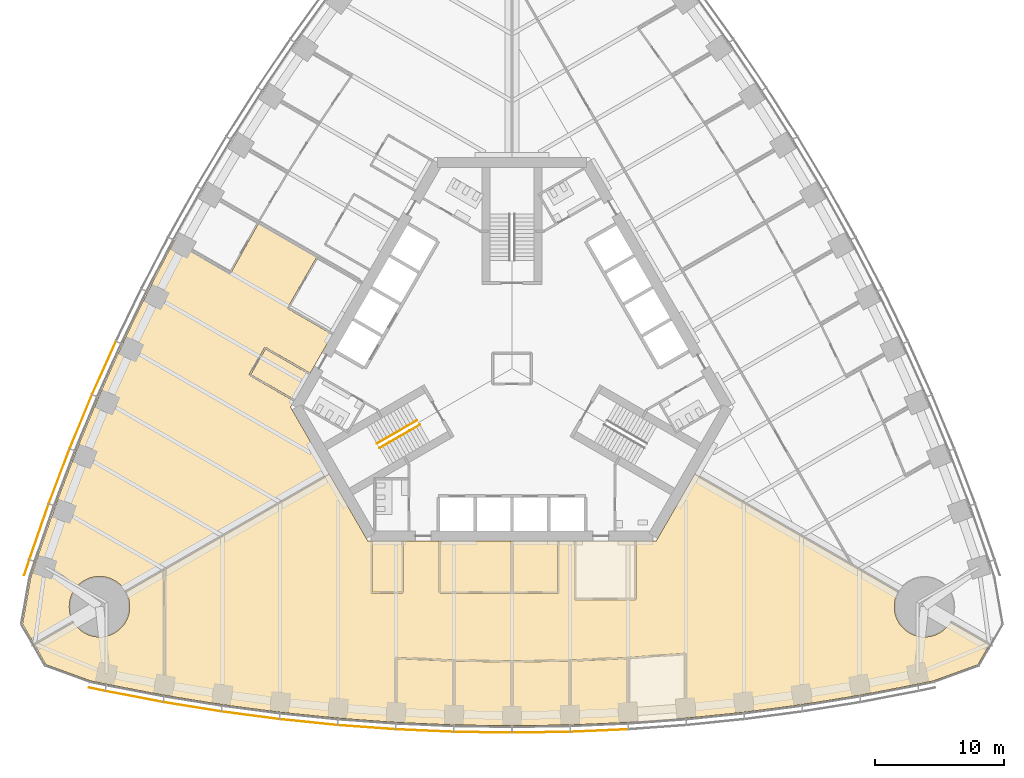
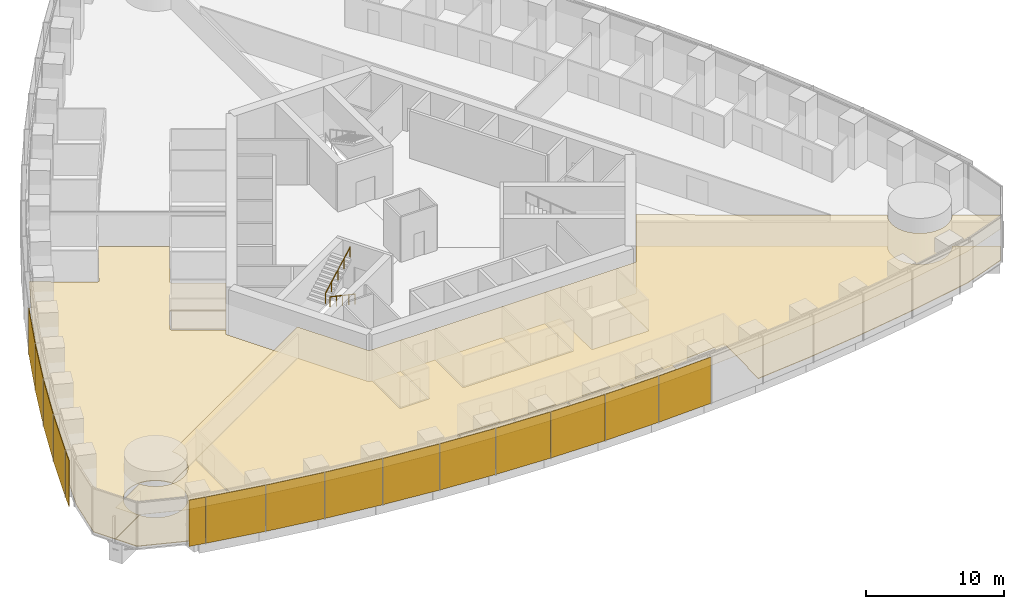
# One storey, part 14 of 18: 15 shading devices, 12 coverings, 2 railings.
"""IFC4 building model written with IfcOpenShell, lengths in metres."""

from ifc_helpers import new_model, si_unit, direction, frame, origin, origin_2d, place, context, subcontext, project, spatial, polyline, rectangle, circle, outline, extrude, material, layer, layer_set, type_object, element, save


model = new_model("IFC4")

# Units and contexts
model_context = context("Model", 3, precision=1e-05, world=origin(), true_north=direction((0.0, 1.0)))
body_context = subcontext(model_context, "Body", "Model", "MODEL_VIEW")
ifc_project = project(units=[si_unit("LENGTHUNIT", "METRE"), si_unit("AREAUNIT", "SQUARE_METRE"), si_unit("VOLUMEUNIT", "CUBIC_METRE"), si_unit("PLANEANGLEUNIT", "RADIAN"), si_unit("MASSUNIT", "GRAM", prefix="KILO")], contexts=[model_context])

# Site, building, storey
site_placement = place(None, origin())
site = spatial("IfcSite", under=ifc_project, at=site_placement, CompositionType="ELEMENT")
building_placement = place(site_placement, origin())
building = spatial("IfcBuilding", under=site, at=building_placement, Name="Trefoil Bronze Tower", CompositionType="ELEMENT")
storey_placement = place(building_placement, frame((0.0, 0.0, 41.699951171875)))
storey = spatial("IfcBuildingStorey", under=building, at=storey_placement, Name="L09", CompositionType="ELEMENT", Elevation=41.699951171875)

# Shading devices
ifc_material_1 = material(Name="Perforated bronze sheet", Category="bronze")
ifc_layer_1 = layer(ifc_material_1, 0.0400390625)
ifc_layer_set_1 = layer_set([ifc_layer_1], Name="Bronze solar screen panel")
shading_device_type = type_object("IfcShadingDeviceType", Name="Bronze solar screen panel", PredefinedType="SHUTTER", material=ifc_layer_set_1)
shading_device_1_placement = place(storey_placement, frame((-32.2431640625, -24.91064453125, 0.050048828125), z_axis=(0.0, 0.0, 1.0), x_axis=(0.978302717041, -0.207180582657, 0.0)))
element("IfcShadingDevice", 1, at=shading_device_1_placement, inside=storey, type_object=shading_device_type, Name="Solar screen CW-A L09 F1 bay 1", PredefinedType="SHUTTER", context=body_context, shape_type="SweptSolid", body=[
    extrude(rectangle(XDim=1.260498046875, YDim=0.0400390625, at=origin_2d()), origin(), (0.0, 0.0, 1.0), 4.10009765625),
])
shading_device_2_placement = place(storey_placement, frame((-29.351806640625, -25.478515625, 0.050048828125), z_axis=(0.0, 0.0, 1.0), x_axis=(0.982049823817, -0.188621694249, 0.0)))
element("IfcShadingDevice", 2, at=shading_device_2_placement, inside=storey, type_object=shading_device_type, Name="Solar screen CW-A L09 F1 bay 2", PredefinedType="SHUTTER", context=body_context, shape_type="SweptSolid", body=[
    extrude(rectangle(XDim=4.55224609375, YDim=0.0400390625, at=origin_2d()), origin(), (0.0, 0.0, 1.0), 4.10009765625),
])
shading_device_3_placement = place(storey_placement, frame((-24.836181640625, -26.277099609375, 0.050048828125), z_axis=(0.0, 0.0, 1.0), x_axis=(0.987181315145, -0.159602791421, 0.0)))
element("IfcShadingDevice", 3, at=shading_device_3_placement, inside=storey, type_object=shading_device_type, Name="Solar screen CW-A L09 F1 bay 3", PredefinedType="SHUTTER", context=body_context, shape_type="SweptSolid", body=[
    extrude(rectangle(XDim=4.5283203125, YDim=0.0400390625, at=origin_2d()), origin(), (0.0, 0.0, 1.0), 4.10009765625),
])
shading_device_4_placement = place(storey_placement, frame((-20.320556640625, -26.939697265625, 0.050048828125), z_axis=(0.0, 0.0, 1.0), x_axis=(0.991437251591, -0.130583981243, 0.0)))
element("IfcShadingDevice", 4, at=shading_device_4_placement, inside=storey, type_object=shading_device_type, Name="Solar screen CW-A L09 F1 bay 4", PredefinedType="SHUTTER", context=body_context, shape_type="SweptSolid", body=[
    extrude(rectangle(XDim=4.5087890625, YDim=0.0400390625, at=origin_2d()), origin(), (0.0, 0.0, 1.0), 4.10009765625),
])
shading_device_5_placement = place(storey_placement, frame((-15.804931640625, -27.467529296875, 0.050048828125), z_axis=(0.0, 0.0, 1.0), x_axis=(0.994828880293, -0.101565244717, 0.0)))
element("IfcShadingDevice", 5, at=shading_device_5_placement, inside=storey, type_object=shading_device_type, Name="Solar screen CW-A L09 F1 bay 5", PredefinedType="SHUTTER", context=body_context, shape_type="SweptSolid", body=[
    extrude(rectangle(XDim=4.493408203125, YDim=0.0400390625, at=origin_2d()), origin(), (0.0, 0.0, 1.0), 4.10009765625),
])
shading_device_6_placement = place(storey_placement, frame((-11.2890625, -27.8623046875, 0.050048828125), z_axis=(0.0, 0.0, 1.0), x_axis=(0.99736502647, -0.072546564177, 0.0)))
element("IfcShadingDevice", 6, at=shading_device_6_placement, inside=storey, type_object=shading_device_type, Name="Solar screen CW-A L09 F1 bay 6", PredefinedType="SHUTTER", context=body_context, shape_type="SweptSolid", body=[
    extrude(rectangle(XDim=4.48193359375, YDim=0.0400390625, at=origin_2d()), origin(), (0.0, 0.0, 1.0), 4.10009765625),
])
shading_device_7_placement = place(storey_placement, frame((-6.7734375, -28.124755859375, 0.050048828125), z_axis=(0.0, 0.0, 1.0), x_axis=(0.999052210809, -0.043527922969, 0.0)))
element("IfcShadingDevice", 7, at=shading_device_7_placement, inside=storey, type_object=shading_device_type, Name="Solar screen CW-A L09 F1 bay 7", PredefinedType="SHUTTER", context=body_context, shape_type="SweptSolid", body=[
    extrude(rectangle(XDim=4.474365234375, YDim=0.0400390625, at=origin_2d()), origin(), (0.0, 0.0, 1.0), 4.10009765625),
])
for number, where, z_axis, x_axis, name in (
    (8, (-2.2578125, -28.256103515625, 0.050048828125), (0.0, 0.0, 1.0), (0.999894734493, -0.014509305083, 0.0), "Solar screen CW-A L09 F1 bay 8"),
    (9, (2.2578125, -28.256103515625, 0.050048828125), (0.0, 0.0, 1.0), (0.999894734493, 0.014509305083, 0.0), "Solar screen CW-A L09 F1 bay 9"),
):
    element("IfcShadingDevice", number, at=place(storey_placement, frame(where, z_axis=z_axis, x_axis=x_axis)), inside=storey, type_object=shading_device_type, Name=name, PredefinedType="SHUTTER", context=body_context, shape_type="SweptSolid", body=[
        extrude(rectangle(XDim=4.470458984375, YDim=0.0400390625, at=origin_2d()), origin(), (0.0, 0.0, 1.0), 4.10009765625),
    ])
shading_device_8_placement = place(storey_placement, frame((6.7734375, -28.124755859375, 0.050048828125), z_axis=(0.0, 0.0, 1.0), x_axis=(0.999052210809, 0.043527922969, 0.0)))
element("IfcShadingDevice", 10, at=shading_device_8_placement, inside=storey, type_object=shading_device_type, Name="Solar screen CW-A L09 F1 bay 10", PredefinedType="SHUTTER", context=body_context, shape_type="SweptSolid", body=[
    extrude(rectangle(XDim=4.474365234375, YDim=0.0400390625, at=origin_2d()), origin(), (0.0, 0.0, 1.0), 4.10009765625),
])
shading_device_9_placement = place(storey_placement, frame((-31.68994140625, 0.04638671875, 0.050048828125), z_axis=(0.0, 0.0, 1.0), x_axis=(-0.40945635808, -0.912329705111, 0.0)))
element("IfcShadingDevice", 11, at=shading_device_9_placement, inside=storey, type_object=shading_device_type, Name="Solar screen CW-A L09 F3 bay 12", PredefinedType="SHUTTER", context=body_context, shape_type="SweptSolid", body=[
    extrude(rectangle(XDim=4.493408203125, YDim=0.0400390625, at=origin_2d()), origin(), (0.0, 0.0, 1.0), 4.10009765625),
])
shading_device_10_placement = place(storey_placement, frame((-33.49072265625, -4.128173828125, 0.050048828125), z_axis=(0.0, 0.0, 1.0), x_axis=(-0.382629580712, -0.923901836758, 0.0)))
element("IfcShadingDevice", 12, at=shading_device_10_placement, inside=storey, type_object=shading_device_type, Name="Solar screen CW-A L09 F3 bay 13", PredefinedType="SHUTTER", context=body_context, shape_type="SweptSolid", body=[
    extrude(rectangle(XDim=4.5087890625, YDim=0.0400390625, at=origin_2d()), origin(), (0.0, 0.0, 1.0), 4.10009765625),
])
shading_device_11_placement = place(storey_placement, frame((-35.1748046875, -8.3701171875, 0.050048828125), z_axis=(0.0, 0.0, 1.0), x_axis=(-0.355370585687, -0.934725492767, 0.0)))
element("IfcShadingDevice", 13, at=shading_device_11_placement, inside=storey, type_object=shading_device_type, Name="Solar screen CW-A L09 F3 bay 14", PredefinedType="SHUTTER", context=body_context, shape_type="SweptSolid", body=[
    extrude(rectangle(XDim=4.5283203125, YDim=0.0400390625, at=origin_2d()), origin(), (0.0, 0.0, 1.0), 4.10009765625),
])
shading_device_12_placement = place(storey_placement, frame((-36.740966796875, -12.68017578125, 0.050048828125), z_axis=(0.0, 0.0, 1.0), x_axis=(-0.327673732984, -0.944790942332, 0.0)))
element("IfcShadingDevice", 14, at=shading_device_12_placement, inside=storey, type_object=shading_device_type, Name="Solar screen CW-A L09 F3 bay 15", PredefinedType="SHUTTER", context=body_context, shape_type="SweptSolid", body=[
    extrude(rectangle(XDim=4.55224609375, YDim=0.0400390625, at=origin_2d()), origin(), (0.0, 0.0, 1.0), 4.10009765625),
])
shading_device_13_placement = place(storey_placement, frame((-37.69482421875, -15.468017578125, 0.050048828125), z_axis=(0.0, 0.0, 1.0), x_axis=(-0.309727710769, -0.950825296877, 0.0)))
element("IfcShadingDevice", 15, at=shading_device_13_placement, inside=storey, type_object=shading_device_type, Name="Solar screen CW-A L09 F3 bay 16", PredefinedType="SHUTTER", context=body_context, shape_type="SweptSolid", body=[
    extrude(rectangle(XDim=1.260498046875, YDim=0.0400390625, at=origin_2d()), origin(), (0.0, 0.0, 1.0), 4.10009765625),
])

# Railings
ifc_material_2 = material(Name="Steel handrail", Category="steel")
railing_type = type_object("IfcRailingType", Name="Handrail 900", PredefinedType="HANDRAIL", material=ifc_material_2)
railing_1_placement = place(storey_placement, frame((-7.166015625, -4.3681640625, 0.16162109375)))
element("IfcRailing", 16, at=railing_1_placement, inside=storey, type_object=railing_type, Name="Handrail ST3 flight 1 L09", PredefinedType="HANDRAIL", context=body_context, shape_type="SweptSolid", body=[
    extrude(circle(Radius=0.02392578125, at=origin_2d()), frame((0.0, 0.0, 0.8759765625), z_axis=(-0.76250339821, -0.440245697338, 0.474101564745), x_axis=(0.500012057535, -0.866018442252, 0.0)), (0.0, 0.0, 1.0), 4.088623046875),
    extrude(circle(Radius=0.02099609375, at=origin_2d()), origin(), (0.0, 0.0, 1.0), 0.851806640625),
    extrude(circle(Radius=0.02099609375, at=origin_2d()), frame((-0.779296875, -0.449951171875, 0.484619140625)), (0.0, 0.0, 1.0), 0.851806640625),
    extrude(circle(Radius=0.02099609375, at=origin_2d()), frame((-1.558837890625, -0.89990234375, 0.96923828125)), (0.0, 0.0, 1.0), 0.851806640625),
    extrude(circle(Radius=0.02099609375, at=origin_2d()), frame((-2.33837890625, -1.35009765625, 1.453857421875)), (0.0, 0.0, 1.0), 0.851806640625),
    extrude(circle(Radius=0.02099609375, at=origin_2d()), frame((-3.11767578125, -1.800048828125, 1.9384765625)), (0.0, 0.0, 1.0), 0.851806640625),
])
railing_2_placement = place(storey_placement, frame((-10.483642578125, -5.82177734375, 2.261474609375)))
element("IfcRailing", 17, at=railing_2_placement, inside=storey, type_object=railing_type, Name="Handrail ST3 flight 2 L09", PredefinedType="HANDRAIL", context=body_context, shape_type="SweptSolid", body=[
    extrude(circle(Radius=0.02392578125, at=origin_2d()), frame((0.0, 0.0, 0.8759765625), z_axis=(0.76250339821, 0.440245697338, 0.474101564745), x_axis=(-0.500012057535, 0.866018442252, 0.0)), (0.0, 0.0, 1.0), 4.088623046875),
    extrude(circle(Radius=0.02099609375, at=origin_2d()), origin(), (0.0, 0.0, 1.0), 0.851806640625),
    extrude(circle(Radius=0.02099609375, at=origin_2d()), frame((0.779296875, 0.449951171875, 0.484619140625)), (0.0, 0.0, 1.0), 0.851806640625),
    extrude(circle(Radius=0.02099609375, at=origin_2d()), frame((1.558837890625, 0.89990234375, 0.96923828125)), (0.0, 0.0, 1.0), 0.851806640625),
    extrude(circle(Radius=0.02099609375, at=origin_2d()), frame((2.33837890625, 1.35009765625, 1.453857421875)), (0.0, 0.0, 1.0), 0.851806640625),
    extrude(circle(Radius=0.02099609375, at=origin_2d()), frame((3.11767578125, 1.800048828125, 1.9384765625)), (0.0, 0.0, 1.0), 0.851806640625),
])

# Coverings
ifc_material_3 = material(Name="Acoustic ceiling panels", Category="mineral fibre")
ifc_layer_2 = layer(ifc_material_3, 0.02001953125)
ifc_layer_set_2 = layer_set([ifc_layer_2], Name="Office ceiling 20")
covering_type_1 = type_object("IfcCoveringType", Name="Office ceiling 20", PredefinedType="CEILING", material=ifc_layer_set_2)
covering_1_placement = place(storey_placement, frame((0.0, 0.0, 2.900146484375)))
element("IfcCovering", 18, at=covering_1_placement, inside=storey, type_object=covering_type_1, Name="Ceiling L09 Open-plan office F1", PredefinedType="CEILING", context=body_context, shape_type="SweptSolid", body=[
    extrude(outline(polyline([(-33.996826171875, -19.8056640625), (-33.930419921875, -19.89990234375), (-33.859619140625, -19.99072265625), (-33.7841796875, -20.078125), (-33.70458984375, -20.16162109375), (-33.62109375, -20.2412109375), (-33.53369140625, -20.316650390625), (-33.44287109375, -20.387451171875), (-33.348388671875, -20.4541015625), (-33.251220703125, -20.515625), (-33.150634765625, -20.572509765625), (-33.047607421875, -20.62451171875), (-32.942138671875, -20.671142578125), (-32.834716796875, -20.712646484375), (-32.72509765625, -20.748779296875), (-32.614013671875, -20.779541015625), (-32.50146484375, -20.8046875), (-32.3876953125, -20.82470703125), (-32.273193359375, -20.838623046875), (-32.158203125, -20.84716796875), (-32.04296875, -20.85009765625), (-31.927490234375, -20.84716796875), (-31.8125, -20.838623046875), (-31.697998046875, -20.82470703125), (-31.58447265625, -20.8046875), (-31.471923828125, -20.779541015625), (-31.36083984375, -20.748779296875), (-31.251220703125, -20.712646484375), (-31.1435546875, -20.671142578125), (-31.0380859375, -20.62451171875), (-30.935302734375, -20.572509765625), (-30.834716796875, -20.515625), (-30.7373046875, -20.4541015625), (-30.64306640625, -20.387451171875), (-30.552001953125, -20.316650390625), (-30.46484375, -20.2412109375), (-30.381103515625, -20.16162109375), (-30.3017578125, -20.078125), (-30.226318359375, -19.99072265625), (-30.155517578125, -19.89990234375), (-30.089111328125, -19.8056640625), (-30.02734375, -19.7080078125), (-29.970458984375, -19.60791015625), (-29.918701171875, -19.5048828125), (-29.871826171875, -19.3994140625), (-29.830322265625, -19.291748046875), (-29.794189453125, -19.18212890625), (-29.763427734375, -19.071044921875), (-29.738037109375, -18.95849609375), (-29.718505859375, -18.8447265625), (-29.704345703125, -18.730224609375), (-29.69580078125, -18.615234375), (-29.69287109375, -18.5), (-29.69580078125, -18.384765625), (-29.704345703125, -18.269775390625), (-29.718505859375, -18.1552734375), (-29.738037109375, -18.04150390625), (-29.763427734375, -17.928955078125), (-29.794189453125, -17.81787109375), (-29.830322265625, -17.708251953125), (-29.871826171875, -17.6005859375), (-29.918701171875, -17.4951171875), (-29.970458984375, -17.39208984375), (-30.001953125, -17.336669921875), (-14.19970703125, -8.205322265625), (-11.20068359375, -13.39990234375), (11.20068359375, -13.39990234375), (14.19970703125, -8.205322265625), (30.001953125, -17.336669921875), (29.970458984375, -17.39208984375), (29.918701171875, -17.4951171875), (29.871826171875, -17.6005859375), (29.830322265625, -17.708251953125), (29.794189453125, -17.81787109375), (29.763427734375, -17.928955078125), (29.738037109375, -18.04150390625), (29.718505859375, -18.1552734375), (29.704345703125, -18.269775390625), (29.69580078125, -18.384765625), (29.69287109375, -18.5), (29.69580078125, -18.615234375), (29.704345703125, -18.730224609375), (29.718505859375, -18.8447265625), (29.738037109375, -18.95849609375), (29.763427734375, -19.071044921875), (29.794189453125, -19.18212890625), (29.830322265625, -19.291748046875), (29.871826171875, -19.3994140625), (29.918701171875, -19.5048828125), (29.970458984375, -19.60791015625), (30.02734375, -19.7080078125), (30.089111328125, -19.8056640625), (30.155517578125, -19.89990234375), (30.226318359375, -19.99072265625), (30.3017578125, -20.078125), (30.381103515625, -20.16162109375), (30.46484375, -20.2412109375), (30.552001953125, -20.316650390625), (30.64306640625, -20.387451171875), (30.7373046875, -20.4541015625), (30.834716796875, -20.515625), (30.935302734375, -20.572509765625), (31.0380859375, -20.62451171875), (31.1435546875, -20.671142578125), (31.251220703125, -20.712646484375), (31.36083984375, -20.748779296875), (31.471923828125, -20.779541015625), (31.58447265625, -20.8046875), (31.697998046875, -20.82470703125), (31.8125, -20.838623046875), (31.927490234375, -20.84716796875), (32.04296875, -20.85009765625), (32.158203125, -20.84716796875), (32.273193359375, -20.838623046875), (32.3876953125, -20.82470703125), (32.50146484375, -20.8046875), (32.614013671875, -20.779541015625), (32.72509765625, -20.748779296875), (32.834716796875, -20.712646484375), (32.942138671875, -20.671142578125), (33.047607421875, -20.62451171875), (33.150634765625, -20.572509765625), (33.251220703125, -20.515625), (33.348388671875, -20.4541015625), (33.44287109375, -20.387451171875), (33.53369140625, -20.316650390625), (33.62109375, -20.2412109375), (33.70458984375, -20.16162109375), (33.7841796875, -20.078125), (33.859619140625, -19.99072265625), (33.930419921875, -19.89990234375), (33.996826171875, -19.8056640625), (34.0703125, -19.6875), (37.094482421875, -21.43505859375), (36.190673828125, -23.0009765625), (32.762451171875, -24.248779296875), (31.5, -24.51611328125), (27.0, -25.38037109375), (22.5, -26.10791015625), (18.0, -26.70068359375), (13.5, -27.159912109375), (9.0, -27.4873046875), (4.5, -27.683349609375), (0.0, -27.748779296875), (-4.5, -27.683349609375), (-9.0, -27.4873046875), (-13.5, -27.159912109375), (-18.0, -26.70068359375), (-22.5, -26.10791015625), (-27.0, -25.38037109375), (-31.5, -24.51611328125), (-32.762451171875, -24.248779296875), (-36.190673828125, -23.0009765625), (-37.094482421875, -21.43505859375), (-34.0703125, -19.6875), (-33.996826171875, -19.8056640625)])), origin(), (0.0, 0.0, 1.0), 0.02001953125),
])
ifc_material_4 = material(Name="Raised access floor panels", Category="steel")
ifc_layer_3 = layer(ifc_material_4, 0.050048828125)
ifc_layer_set_3 = layer_set([ifc_layer_3], Name="Raised access floor 150")
covering_type_2 = type_object("IfcCoveringType", Name="Raised access floor 150", PredefinedType="FLOORING", material=ifc_layer_set_3)
covering_2_placement = place(storey_placement, frame((0.0, 0.0, 0.10009765625)))
element("IfcCovering", 19, at=covering_2_placement, inside=storey, type_object=covering_type_2, Name="Raised floor L09 Kitchen and breakout F1", PredefinedType="FLOORING", context=body_context, shape_type="SweptSolid", body=[
    extrude(outline(polyline([(-30.001953125, -17.336669921875), (-27.0, -15.60205078125), (-27.0, -15.652099609375), (-27.06005859375, -15.652099609375), (-27.06005859375, -23.77587890625), (-27.0, -23.77587890625), (-27.0, -25.38037109375), (-31.5, -24.51611328125), (-32.762451171875, -24.248779296875), (-36.190673828125, -23.0009765625), (-37.094482421875, -21.43505859375), (-34.0703125, -19.6875), (-33.996826171875, -19.8056640625), (-33.930419921875, -19.89990234375), (-33.859619140625, -19.99072265625), (-33.7841796875, -20.078125), (-33.70458984375, -20.16162109375), (-33.62109375, -20.2412109375), (-33.53369140625, -20.316650390625), (-33.44287109375, -20.387451171875), (-33.348388671875, -20.4541015625), (-33.251220703125, -20.515625), (-33.150634765625, -20.572509765625), (-33.047607421875, -20.62451171875), (-32.942138671875, -20.671142578125), (-32.834716796875, -20.712646484375), (-32.72509765625, -20.748779296875), (-32.614013671875, -20.779541015625), (-32.50146484375, -20.8046875), (-32.3876953125, -20.82470703125), (-32.273193359375, -20.838623046875), (-32.158203125, -20.84716796875), (-32.04296875, -20.85009765625), (-31.927490234375, -20.84716796875), (-31.8125, -20.838623046875), (-31.697998046875, -20.82470703125), (-31.58447265625, -20.8046875), (-31.471923828125, -20.779541015625), (-31.36083984375, -20.748779296875), (-31.251220703125, -20.712646484375), (-31.1435546875, -20.671142578125), (-31.0380859375, -20.62451171875), (-30.935302734375, -20.572509765625), (-30.834716796875, -20.515625), (-30.7373046875, -20.4541015625), (-30.64306640625, -20.387451171875), (-30.552001953125, -20.316650390625), (-30.46484375, -20.2412109375), (-30.381103515625, -20.16162109375), (-30.3017578125, -20.078125), (-30.226318359375, -19.99072265625), (-30.155517578125, -19.89990234375), (-30.089111328125, -19.8056640625), (-30.02734375, -19.7080078125), (-29.970458984375, -19.60791015625), (-29.918701171875, -19.5048828125), (-29.871826171875, -19.3994140625), (-29.830322265625, -19.291748046875), (-29.794189453125, -19.18212890625), (-29.763427734375, -19.071044921875), (-29.738037109375, -18.95849609375), (-29.718505859375, -18.8447265625), (-29.704345703125, -18.730224609375), (-29.69580078125, -18.615234375), (-29.69287109375, -18.5), (-29.69580078125, -18.384765625), (-29.704345703125, -18.269775390625), (-29.718505859375, -18.1552734375), (-29.738037109375, -18.04150390625), (-29.763427734375, -17.928955078125), (-29.794189453125, -17.81787109375), (-29.830322265625, -17.708251953125), (-29.871826171875, -17.6005859375), (-29.918701171875, -17.4951171875), (-29.970458984375, -17.39208984375), (-30.001953125, -17.336669921875)])), origin(), (0.0, 0.0, 1.0), 0.050048828125),
])
covering_3_placement = place(storey_placement, frame((0.0, 0.0, 0.10009765625)))
element("IfcCovering", 20, at=covering_3_placement, inside=storey, type_object=covering_type_2, Name="Raised floor L09 Meeting room F1", PredefinedType="FLOORING", context=body_context, shape_type="SweptSolid", body=[
    extrude(outline(polyline([(-0.06005859375, -13.39990234375), (-0.06005859375, -17.340087890625), (-5.5400390625, -17.340087890625), (-5.5400390625, -13.39990234375), (-0.06005859375, -13.39990234375)])), origin(), (0.0, 0.0, 1.0), 0.050048828125),
])
covering_4_placement = place(storey_placement, frame((0.0, 0.0, 0.10009765625)))
element("IfcCovering", 21, at=covering_4_placement, inside=storey, type_object=covering_type_2, Name="Raised floor L09 Meeting room F1", PredefinedType="FLOORING", context=body_context, shape_type="SweptSolid", body=[
    extrude(outline(polyline([(3.5400390625, -13.39990234375), (3.5400390625, -17.340087890625), (0.06005859375, -17.340087890625), (0.06005859375, -13.39990234375), (3.5400390625, -13.39990234375)])), origin(), (0.0, 0.0, 1.0), 0.050048828125),
])
covering_5_placement = place(storey_placement, frame((0.0, 0.0, 0.10009765625)))
element("IfcCovering", 22, at=covering_5_placement, inside=storey, type_object=covering_type_2, Name="Raised floor L09 Comms room F1", PredefinedType="FLOORING", context=body_context, shape_type="SweptSolid", body=[
    extrude(outline(polyline([(-8.56005859375, -13.39990234375), (-8.56005859375, -17.340087890625), (-10.840087890625, -17.340087890625), (-10.840087890625, -13.39990234375), (-8.56005859375, -13.39990234375)])), origin(), (0.0, 0.0, 1.0), 0.050048828125),
])
covering_6_placement = place(storey_placement, frame((0.0, 0.0, 0.10009765625)))
element("IfcCovering", 23, at=covering_6_placement, inside=storey, type_object=covering_type_2, Name="Raised floor L09 Office F1", PredefinedType="FLOORING", context=body_context, shape_type="SweptSolid", body=[
    extrude(outline(polyline([(9.0, -27.4873046875), (4.5, -27.683349609375), (4.5, -26.102783203125), (4.56005859375, -26.102783203125), (4.56005859375, -22.740966796875), (8.93994140625, -22.550048828125), (8.93994140625, -25.90478515625), (9.0, -25.90478515625), (9.0, -27.4873046875)])), origin(), (0.0, 0.0, 1.0), 0.050048828125),
])
covering_7_placement = place(storey_placement, frame((0.0, 0.0, 0.10009765625)))
element("IfcCovering", 24, at=covering_7_placement, inside=storey, type_object=covering_type_2, Name="Raised floor L09 Office F1", PredefinedType="FLOORING", context=body_context, shape_type="SweptSolid", body=[
    extrude(outline(polyline([(4.5, -27.683349609375), (0.0, -27.748779296875), (0.0, -26.168701171875), (0.06005859375, -26.168701171875), (0.06005859375, -22.807861328125), (4.43994140625, -22.744384765625), (4.43994140625, -26.102783203125), (4.5, -26.102783203125), (4.5, -27.683349609375)])), origin(), (0.0, 0.0, 1.0), 0.050048828125),
])
covering_8_placement = place(storey_placement, frame((0.0, 0.0, 0.10009765625)))
element("IfcCovering", 25, at=covering_8_placement, inside=storey, type_object=covering_type_2, Name="Raised floor L09 Office F1", PredefinedType="FLOORING", context=body_context, shape_type="SweptSolid", body=[
    extrude(outline(polyline([(0.0, -27.748779296875), (-4.5, -27.683349609375), (-4.5, -26.102783203125), (-4.43994140625, -26.102783203125), (-4.43994140625, -22.744384765625), (-0.06005859375, -22.807861328125), (-0.06005859375, -26.168701171875), (0.0, -26.168701171875), (0.0, -27.748779296875)])), origin(), (0.0, 0.0, 1.0), 0.050048828125),
])
covering_9_placement = place(storey_placement, frame((0.0, 0.0, 0.10009765625)))
element("IfcCovering", 26, at=covering_9_placement, inside=storey, type_object=covering_type_2, Name="Raised floor L09 Meeting room F1", PredefinedType="FLOORING", context=body_context, shape_type="SweptSolid", body=[
    extrude(outline(polyline([(-4.5, -27.683349609375), (-9.0, -27.4873046875), (-9.0, -25.90478515625), (-8.93994140625, -25.90478515625), (-8.93994140625, -22.550048828125), (-4.56005859375, -22.740966796875), (-4.56005859375, -26.102783203125), (-4.5, -26.102783203125), (-4.5, -27.683349609375)])), origin(), (0.0, 0.0, 1.0), 0.050048828125),
])
covering_10_placement = place(storey_placement, frame((0.0, 0.0, 0.10009765625)))
element("IfcCovering", 27, at=covering_10_placement, inside=storey, type_object=covering_type_2, Name="Raised floor L09 Open-plan office F1", PredefinedType="FLOORING", context=body_context, shape_type="SweptSolid", body=[
    extrude(outline(polyline([(-14.19970703125, -8.205322265625), (-11.20068359375, -13.39990234375), (-10.9599609375, -13.39990234375), (-10.9599609375, -17.39990234375), (-10.89990234375, -17.39990234375), (-10.89990234375, -17.4599609375), (-8.5, -17.4599609375), (-8.5, -17.39990234375), (-8.43994140625, -17.39990234375), (-8.43994140625, -13.39990234375), (-5.659912109375, -13.39990234375), (-5.659912109375, -17.39990234375), (-5.60009765625, -17.39990234375), (-5.60009765625, -17.4599609375), (3.60009765625, -17.4599609375), (3.60009765625, -17.39990234375), (3.659912109375, -17.39990234375), (3.659912109375, -13.39990234375), (4.840087890625, -13.39990234375), (4.840087890625, -17.89990234375), (4.89990234375, -17.89990234375), (4.89990234375, -17.9599609375), (9.60009765625, -17.9599609375), (9.60009765625, -17.89990234375), (9.659912109375, -17.89990234375), (9.659912109375, -13.39990234375), (11.20068359375, -13.39990234375), (14.19970703125, -8.205322265625), (30.001953125, -17.336669921875), (29.970458984375, -17.39208984375), (29.918701171875, -17.4951171875), (29.871826171875, -17.6005859375), (29.830322265625, -17.708251953125), (29.794189453125, -17.81787109375), (29.763427734375, -17.928955078125), (29.738037109375, -18.04150390625), (29.718505859375, -18.1552734375), (29.704345703125, -18.269775390625), (29.69580078125, -18.384765625), (29.69287109375, -18.5), (29.69580078125, -18.615234375), (29.704345703125, -18.730224609375), (29.718505859375, -18.8447265625), (29.738037109375, -18.95849609375), (29.763427734375, -19.071044921875), (29.794189453125, -19.18212890625), (29.830322265625, -19.291748046875), (29.871826171875, -19.3994140625), (29.918701171875, -19.5048828125), (29.970458984375, -19.60791015625), (30.02734375, -19.7080078125), (30.089111328125, -19.8056640625), (30.155517578125, -19.89990234375), (30.226318359375, -19.99072265625), (30.3017578125, -20.078125), (30.381103515625, -20.16162109375), (30.46484375, -20.2412109375), (30.552001953125, -20.316650390625), (30.64306640625, -20.387451171875), (30.7373046875, -20.4541015625), (30.834716796875, -20.515625), (30.935302734375, -20.572509765625), (31.0380859375, -20.62451171875), (31.1435546875, -20.671142578125), (31.251220703125, -20.712646484375), (31.36083984375, -20.748779296875), (31.471923828125, -20.779541015625), (31.58447265625, -20.8046875), (31.697998046875, -20.82470703125), (31.8125, -20.838623046875), (31.927490234375, -20.84716796875), (32.04296875, -20.85009765625), (32.158203125, -20.84716796875), (32.273193359375, -20.838623046875), (32.3876953125, -20.82470703125), (32.50146484375, -20.8046875), (32.614013671875, -20.779541015625), (32.72509765625, -20.748779296875), (32.834716796875, -20.712646484375), (32.942138671875, -20.671142578125), (33.047607421875, -20.62451171875), (33.150634765625, -20.572509765625), (33.251220703125, -20.515625), (33.348388671875, -20.4541015625), (33.44287109375, -20.387451171875), (33.53369140625, -20.316650390625), (33.62109375, -20.2412109375), (33.70458984375, -20.16162109375), (33.7841796875, -20.078125), (33.859619140625, -19.99072265625), (33.930419921875, -19.89990234375), (33.996826171875, -19.8056640625), (34.0703125, -19.6875), (37.094482421875, -21.43505859375), (36.190673828125, -23.0009765625), (32.762451171875, -24.248779296875), (31.5, -24.51611328125), (27.0, -25.38037109375), (22.5, -26.10791015625), (18.0, -26.70068359375), (13.5, -27.159912109375), (13.5, -25.573974609375), (13.56005859375, -25.573974609375), (13.56005859375, -22.159912109375), (13.5, -22.159912109375), (13.49560546875, -22.10009765625), (8.99658203125, -22.427490234375), (4.498291015625, -22.623291015625), (0.0, -22.688720703125), (-4.498291015625, -22.623291015625), (-8.997314453125, -22.427490234375), (-9.0, -22.4873046875), (-9.06005859375, -22.4873046875), (-9.06005859375, -25.90478515625), (-9.0, -25.90478515625), (-9.0, -27.4873046875), (-13.5, -27.159912109375), (-18.0, -26.70068359375), (-22.5, -26.10791015625), (-27.0, -25.38037109375), (-27.0, -23.77587890625), (-26.93994140625, -23.77587890625), (-26.93994140625, -15.652099609375), (-27.0, -15.652099609375), (-27.0, -15.60205078125), (-14.19970703125, -8.205322265625)])), origin(), (0.0, 0.0, 1.0), 0.050048828125),
])
covering_11_placement = place(storey_placement, frame((0.0, 0.0, 0.10009765625)))
element("IfcCovering", 28, at=covering_11_placement, inside=storey, type_object=covering_type_2, Name="Raised floor L09 Store F3", PredefinedType="FLOORING", context=body_context, shape_type="SweptSolid", body=[
    extrude(outline(polyline([(-16.874755859375, -2.427978515625), (-20.286865234375, -0.4580078125), (-19.14697265625, 1.5166015625), (-15.734619140625, -0.453369140625), (-16.874755859375, -2.427978515625)])), origin(), (0.0, 0.0, 1.0), 0.050048828125),
])
covering_12_placement = place(storey_placement, frame((0.0, 0.0, 0.10009765625)))
element("IfcCovering", 29, at=covering_12_placement, inside=storey, type_object=covering_type_2, Name="Raised floor L09 Open-plan office F3", PredefinedType="FLOORING", context=body_context, shape_type="SweptSolid", body=[
    extrude(outline(polyline([(-33.860107421875, -6.431640625), (-32.123291015625, -2.23828125), (-30.271240234375, 1.888671875), (-28.3046875, 5.949462890625), (-26.224609375, 9.944580078125), (-24.855712890625, 9.154296875), (-24.885498046875, 9.102294921875), (-21.92431640625, 7.392578125), (-21.894287109375, 7.444580078125), (-21.842041015625, 7.415283203125), (-19.685546875, 11.27880859375), (-15.106201171875, 8.635009765625), (-15.13134765625, 8.591796875), (-15.183349609375, 8.62158203125), (-17.433349609375, 4.724609375), (-17.38134765625, 4.694580078125), (-17.411376953125, 4.642578125), (-13.947265625, 2.642578125), (-15.6748046875, -0.349365234375), (-19.138916015625, 1.650634765625), (-19.168701171875, 1.5986328125), (-19.220703125, 1.628662109375), (-20.4208984375, -0.449951171875), (-20.368896484375, -0.47998046875), (-20.398681640625, -0.53173828125), (-16.934814453125, -2.53173828125), (-17.205078125, -3.0), (-14.205810546875, -8.194580078125), (-30.0146484375, -17.31396484375), (-30.02734375, -17.2919921875), (-30.089111328125, -17.1943359375), (-30.155517578125, -17.10009765625), (-30.226318359375, -17.00927734375), (-30.3017578125, -16.921875), (-30.381103515625, -16.83837890625), (-30.46484375, -16.7587890625), (-30.552001953125, -16.683349609375), (-30.64306640625, -16.612548828125), (-30.7373046875, -16.5458984375), (-30.834716796875, -16.484375), (-30.935302734375, -16.427490234375), (-31.0380859375, -16.37548828125), (-31.1435546875, -16.328857421875), (-31.251220703125, -16.287353515625), (-31.36083984375, -16.251220703125), (-31.471923828125, -16.220458984375), (-31.58447265625, -16.1953125), (-31.697998046875, -16.17529296875), (-31.8125, -16.161376953125), (-31.927490234375, -16.15283203125), (-32.04296875, -16.14990234375), (-32.158203125, -16.15283203125), (-32.273193359375, -16.161376953125), (-32.3876953125, -16.17529296875), (-32.50146484375, -16.1953125), (-32.614013671875, -16.220458984375), (-32.72509765625, -16.251220703125), (-32.834716796875, -16.287353515625), (-32.942138671875, -16.328857421875), (-33.047607421875, -16.37548828125), (-33.150634765625, -16.427490234375), (-33.251220703125, -16.484375), (-33.348388671875, -16.5458984375), (-33.44287109375, -16.612548828125), (-33.53369140625, -16.683349609375), (-33.62109375, -16.7587890625), (-33.70458984375, -16.83837890625), (-33.7841796875, -16.921875), (-33.859619140625, -17.00927734375), (-33.930419921875, -17.10009765625), (-33.996826171875, -17.1943359375), (-34.05859375, -17.2919921875), (-34.115478515625, -17.39208984375), (-34.167236328125, -17.4951171875), (-34.214111328125, -17.6005859375), (-34.255615234375, -17.708251953125), (-34.291748046875, -17.81787109375), (-34.322509765625, -17.928955078125), (-34.347900390625, -18.04150390625), (-34.367431640625, -18.1552734375), (-34.381591796875, -18.269775390625), (-34.39013671875, -18.384765625), (-34.392822265625, -18.5), (-34.39013671875, -18.615234375), (-34.381591796875, -18.730224609375), (-34.367431640625, -18.8447265625), (-34.347900390625, -18.95849609375), (-34.322509765625, -19.071044921875), (-34.291748046875, -19.18212890625), (-34.255615234375, -19.291748046875), (-34.214111328125, -19.3994140625), (-34.167236328125, -19.5048828125), (-34.115478515625, -19.60791015625), (-34.084716796875, -19.661865234375), (-37.110595703125, -21.4072265625), (-38.0146484375, -19.841552734375), (-37.381103515625, -16.248779296875), (-36.9814453125, -15.021728515625), (-35.47998046875, -10.6923828125), (-33.860107421875, -6.431640625)])), origin(), (0.0, 0.0, 1.0), 0.050048828125),
])

save(model, "model.ifc")
